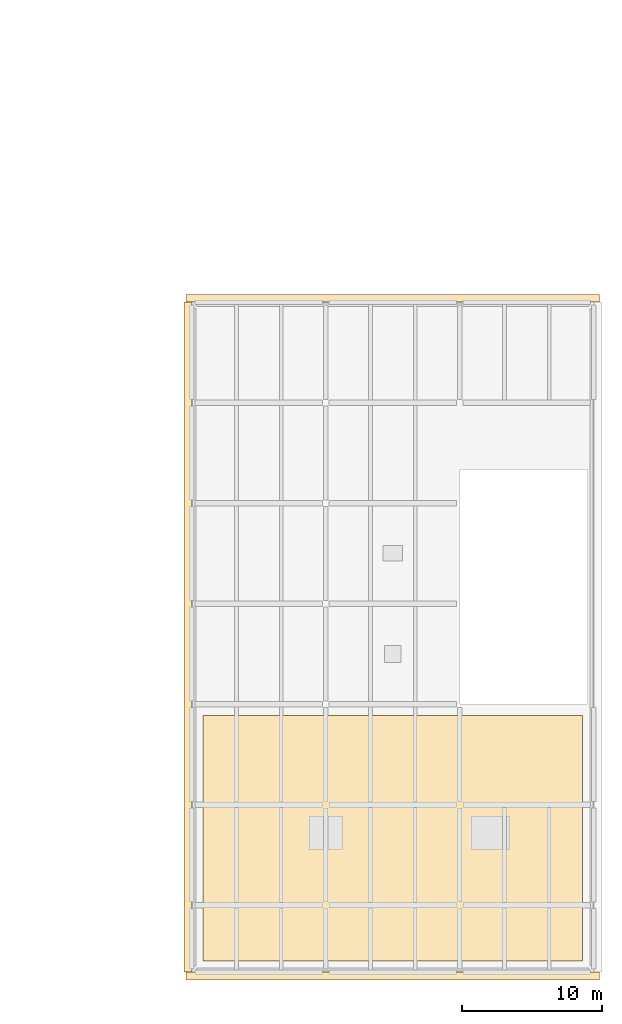
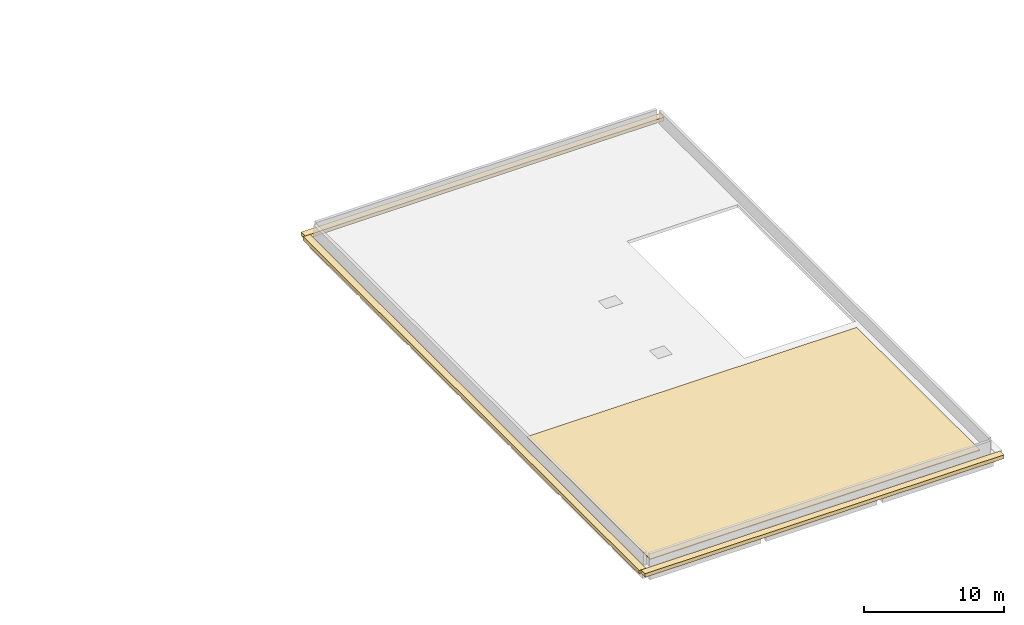
# One storey, part 20 of 24: 4 coverings.
"""IFC4 building model written with IfcOpenShell, lengths in metres."""

from ifc_helpers import new_model, si_unit, direction, frame, origin, origin_2d, place, context, subcontext, project, spatial, polyline, rectangle, outline, extrude, material, layer, layer_set, type_object, element, save


model = new_model("IFC4")

# Units and contexts
model_context = context("Model", 3, precision=1e-05, world=origin(), true_north=direction((0.0, 1.0)))
body_context = subcontext(model_context, "Body", "Model", "MODEL_VIEW")
ifc_project = project(units=[si_unit("LENGTHUNIT", "METRE"), si_unit("AREAUNIT", "SQUARE_METRE"), si_unit("VOLUMEUNIT", "CUBIC_METRE"), si_unit("PLANEANGLEUNIT", "RADIAN"), si_unit("MASSUNIT", "GRAM", prefix="KILO")], contexts=[model_context])

# Site, building, storey
site_placement = place(None, origin())
site = spatial("IfcSite", under=ifc_project, at=site_placement, CompositionType="ELEMENT")
building_placement = place(site_placement, origin())
building = spatial("IfcBuilding", under=site, at=building_placement, Name="Asteropetra Specialist Clinic", CompositionType="ELEMENT")
storey_placement = place(building_placement, frame((0.0, 0.0, 20.739990234375)))
storey = spatial("IfcBuildingStorey", under=building, at=storey_placement, Name="L05", CompositionType="ELEMENT", Elevation=20.739990234375)

# Coverings
ifc_material_1 = material(Name="Pentelic marble ashlar", Category="masonry")
ifc_layer_1 = layer(ifc_material_1, 0.159912109375)
ifc_layer_set_1 = layer_set([ifc_layer_1], Name="Pentelic marble ashlar")
covering_type_1 = type_object("IfcCoveringType", Name="CRN-ENTAB-600", PredefinedType="MOLDING", material=ifc_layer_set_1)
for number, where, z_axis, x_axis, name in (
    (1, (120.0, -0.280029296875, -0.27978515625), (0.0, 0.0, 1.0), (1.0, 0.0, 0.0), "Classical Entablature Cornice EC-037"),
    (2, (120.0, 48.280029296875, -0.27978515625), (0.0, 0.0, 1.0), (1.0, 0.0, 0.0), "Classical Entablature Cornice EC-038"),
):
    element("IfcCovering", number, at=place(storey_placement, frame(where, z_axis=z_axis, x_axis=x_axis)), inside=storey, type_object=covering_type_1, Name=name, PredefinedType="MOLDING", context=body_context, shape_type="SweptSolid", body=[
        extrude(rectangle(XDim=29.60009765625, YDim=0.56005859375, at=origin_2d()), origin(), (0.0, 0.0, 1.0), 0.320068359375),
    ])
covering_1_placement = place(storey_placement, frame((105.320068359375, 24.0, -0.27978515625), z_axis=(0.0, 0.0, 1.0), x_axis=(1.0, 0.0, 0.0)))
element("IfcCovering", 3, at=covering_1_placement, inside=storey, type_object=covering_type_1, Name="Classical Entablature Cornice EC-039", PredefinedType="MOLDING", context=body_context, shape_type="SweptSolid", body=[
    extrude(rectangle(XDim=0.56005859375, YDim=48.0, at=origin_2d()), origin(), (0.0, 0.0, 1.0), 0.320068359375),
])
ifc_material_2 = material(Name="Reflective cool-roof membrane")
ifc_layer_2 = layer(ifc_material_2, 0.080078125)
ifc_layer_set_2 = layer_set([ifc_layer_2], Name="Reflective cool-roof membrane")
covering_type_2 = type_object("IfcCoveringType", Name="RFG-MEMB-FLAT", PredefinedType="ROOFING", material=ifc_layer_set_2)
covering_2_placement = place(storey_placement, origin())
element("IfcCovering", 4, at=covering_2_placement, inside=storey, type_object=covering_type_2, Name="Roof Covering RFG-V6-TOP", PredefinedType="ROOFING", context=body_context, shape_type="SweptSolid", body=[
    extrude(outline(polyline([(106.39990234375, 0.800048828125), (133.60009765625, 0.800048828125), (133.60009765625, 18.39990234375), (106.39990234375, 18.39990234375), (106.39990234375, 0.800048828125)])), origin(), (0.0, 0.0, 1.0), 0.080078125),
])

save(model, "model.ifc")
